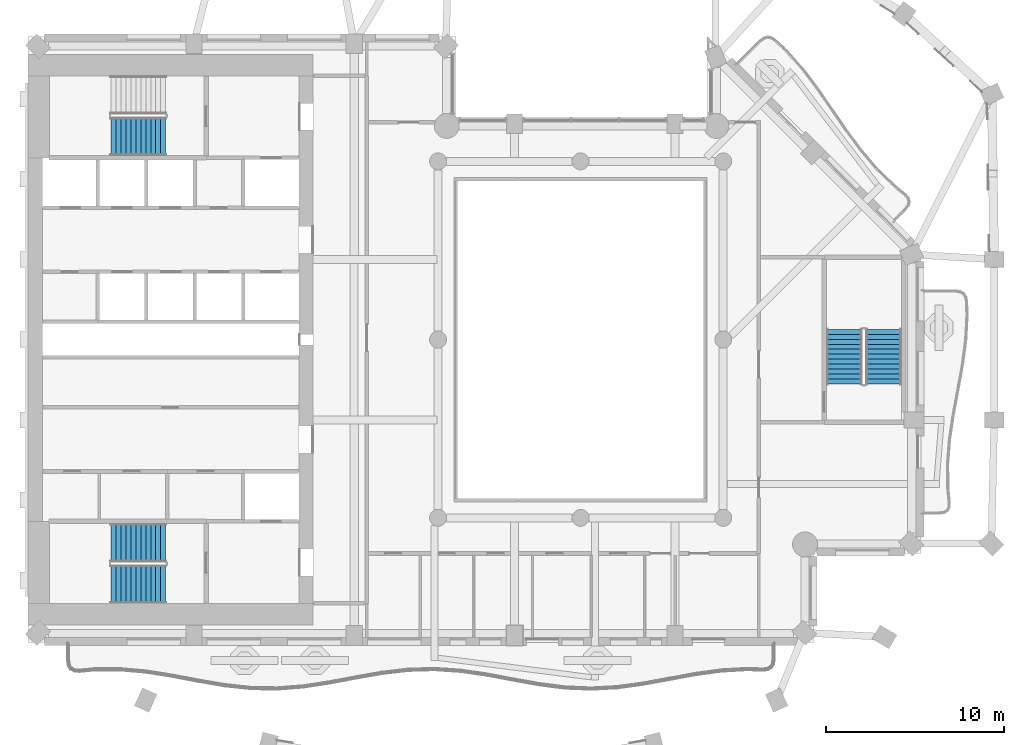
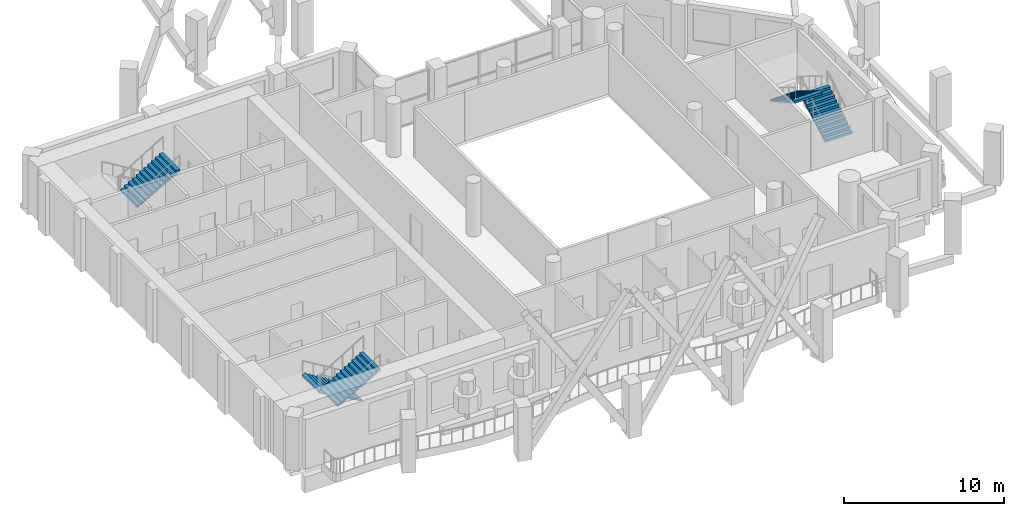
# One storey, part 9 of 16: 5 stair flights, 3 elements without a shape of their own.
"""IFC4 building model written with IfcOpenShell, lengths in metres."""

from ifc_helpers import new_model, si_unit, direction, frame, origin, place, context, subcontext, project, spatial, triangles, material, type_object, element, aggregate, save


model = new_model("IFC4")

# Units and contexts
model_context = context("Model", 3, precision=1e-05, world=origin(), true_north=direction((0.0, 1.0)))
body_context = subcontext(model_context, "Body", "Model", "MODEL_VIEW")
ifc_project = project(units=[si_unit("LENGTHUNIT", "METRE"), si_unit("AREAUNIT", "SQUARE_METRE"), si_unit("VOLUMEUNIT", "CUBIC_METRE"), si_unit("PLANEANGLEUNIT", "RADIAN"), si_unit("MASSUNIT", "GRAM", prefix="KILO")], contexts=[model_context])

# Site, building, storey
site_placement = place(None, origin())
site = spatial("IfcSite", under=ifc_project, at=site_placement, CompositionType="ELEMENT")
building_placement = place(site_placement, origin())
building = spatial("IfcBuilding", under=site, at=building_placement, Name="Cypress Arch Tower", CompositionType="ELEMENT")
storey_placement = place(building_placement, frame((0.0, 0.0, 181.0)))
storey = spatial("IfcBuildingStorey", under=building, at=storey_placement, Name="L39", CompositionType="ELEMENT", Elevation=181.0)

# Stair, stair flights
ifc_material_1 = material(Name="Concrete C40/50", Category="concrete")
stair_type_1 = type_object("IfcStairType", Name="Exit stair ES1708-200", PredefinedType="HALF_TURN_STAIR", material=ifc_material_1)
stair_1_placement = place(storey_placement, origin())
stair_1 = element("IfcStair", 1, at=stair_1_placement, inside=storey, type_object=stair_type_1, Name="L39 Exit stair C", PredefinedType="HALF_TURN_STAIR")
ifc_material_2 = material(Name="Concrete C40/50", Category="concrete")
stair_flight_type_1 = type_object("IfcStairFlightType", Name="Exit stair flight ES1708-200", PredefinedType="STRAIGHT", material=ifc_material_2)
stair_flight_1_placement = place(storey_placement, frame((18.0, -2.5, 0.0), z_axis=(0.0, 0.0, 1.0), x_axis=(0.0, 1.0, 0.0)))
stair_flight_1 = element("IfcStairFlight", 2, at=stair_flight_1_placement, type_object=stair_flight_type_1, Name="C flight 1", NumberOfRisers=12, NumberOfTreads=11, PredefinedType="STRAIGHT", RiserHeight=0.170833333, TreadLength=0.28, context=body_context, shape_type="Tessellation", body=[
    triangles([(0.0, -1.0, 0.0), (0.0, -1.0, 0.1708984375), (0.280029296875, -1.0, 0.1708984375), (0.280029296875, -1.0, 0.341552734375), (0.56005859375, -1.0, 0.341552734375), (0.56005859375, -1.0, 0.512451171875), (0.840087890625, -1.0, 0.512451171875), (0.840087890625, -1.0, 0.683349609375), (1.1201171875, -1.0, 0.683349609375), (1.1201171875, -1.0, 0.854248046875), (1.39990234375, -1.0, 0.854248046875), (1.39990234375, -1.0, 1.02490234375), (1.679931640625, -1.0, 1.02490234375), (1.679931640625, -1.0, 1.19580078125), (1.9599609375, -1.0, 1.19580078125), (1.9599609375, -1.0, 1.36669921875), (2.239990234375, -1.0, 1.36669921875), (2.239990234375, -1.0, 1.53759765625), (2.52001953125, -1.0, 1.53759765625), (2.52001953125, -1.0, 1.708251953125), (2.800048828125, -1.0, 1.708251953125), (2.800048828125, -1.0, 1.879150390625), (3.080078125, -1.0, 1.879150390625), (3.080078125, -1.0, 1.70361328125), (3.080078125, 1.0, 1.70361328125), (3.080078125, 1.0, 1.879150390625), (2.800048828125, 1.0, 1.879150390625), (2.800048828125, 1.0, 1.708251953125), (2.52001953125, 1.0, 1.708251953125), (2.52001953125, 1.0, 1.53759765625), (2.239990234375, 1.0, 1.53759765625), (2.239990234375, 1.0, 1.36669921875), (1.9599609375, 1.0, 1.36669921875), (1.9599609375, 1.0, 1.19580078125), (1.679931640625, 1.0, 1.19580078125), (1.679931640625, 1.0, 1.02490234375), (1.39990234375, 1.0, 1.02490234375), (1.39990234375, 1.0, 0.854248046875), (1.1201171875, 1.0, 0.854248046875), (1.1201171875, 1.0, 0.683349609375), (0.840087890625, 1.0, 0.683349609375), (0.840087890625, 1.0, 0.512451171875), (0.56005859375, 1.0, 0.512451171875), (0.56005859375, 1.0, 0.341552734375), (0.280029296875, 1.0, 0.341552734375), (0.280029296875, 1.0, 0.1708984375), (0.0, 1.0, 0.1708984375), (0.0, 1.0, 0.0), (3.080078125, 0.0, 1.879150390625), (3.080078125, 0.0, 1.70361328125), (2.800048828125, 0.0, 1.879150390625), (2.800048828125, 0.0, 1.708251953125), (2.52001953125, 0.0, 1.708251953125), (2.52001953125, 0.0, 1.53759765625), (2.239990234375, 0.0, 1.53759765625), (2.239990234375, 0.0, 1.36669921875), (1.9599609375, 0.0, 1.36669921875), (1.9599609375, 0.0, 1.19580078125), (1.679931640625, 0.0, 1.19580078125), (1.679931640625, 0.0, 1.02490234375), (1.39990234375, 0.0, 1.02490234375), (1.39990234375, 0.0, 0.854248046875), (1.1201171875, 0.0, 0.854248046875), (1.1201171875, 0.0, 0.683349609375), (0.840087890625, 0.0, 0.683349609375), (0.840087890625, 0.0, 0.512451171875), (0.56005859375, 0.0, 0.512451171875), (0.56005859375, 0.0, 0.341552734375), (0.280029296875, 0.0, 0.341552734375), (0.280029296875, 0.0, 0.1708984375), (0.0, 0.0, 0.1708984375), (0.0, 0.0, 0.0)], [[24, 23, 22], [11, 10, 9], [19, 18, 17], [17, 16, 15], [15, 14, 13], [9, 8, 7], [7, 6, 5], [3, 2, 1], [21, 20, 19], [13, 12, 11], [5, 4, 3], [24, 22, 21], [24, 21, 19], [24, 19, 17], [24, 17, 15], [24, 15, 13], [24, 13, 11], [24, 11, 9], [24, 9, 7], [24, 7, 5], [1, 24, 5], [5, 3, 1], [25, 27, 26], [38, 40, 39], [30, 32, 31], [32, 34, 33], [34, 36, 35], [40, 42, 41], [42, 44, 43], [46, 48, 47], [28, 30, 29], [36, 38, 37], [44, 46, 45], [25, 28, 27], [25, 30, 28], [25, 32, 30], [25, 34, 32], [25, 36, 34], [25, 38, 36], [25, 40, 38], [25, 42, 40], [25, 44, 42], [48, 44, 25], [44, 48, 46], [50, 49, 23], [50, 23, 24], [25, 26, 49], [25, 49, 50], [49, 51, 22], [49, 22, 23], [26, 27, 51], [26, 51, 49], [51, 52, 21], [51, 21, 22], [27, 28, 52], [27, 52, 51], [52, 53, 20], [52, 20, 21], [28, 29, 53], [28, 53, 52], [53, 54, 19], [53, 19, 20], [29, 30, 54], [29, 54, 53], [54, 55, 18], [54, 18, 19], [30, 31, 55], [30, 55, 54], [55, 56, 17], [55, 17, 18], [31, 32, 56], [31, 56, 55], [56, 57, 16], [56, 16, 17], [32, 33, 57], [32, 57, 56], [57, 58, 15], [57, 15, 16], [33, 34, 58], [33, 58, 57], [58, 59, 14], [58, 14, 15], [34, 35, 59], [34, 59, 58], [59, 60, 13], [59, 13, 14], [35, 36, 60], [35, 60, 59], [60, 61, 12], [60, 12, 13], [36, 37, 61], [36, 61, 60], [61, 62, 11], [61, 11, 12], [37, 38, 62], [37, 62, 61], [62, 63, 10], [62, 10, 11], [38, 39, 63], [38, 63, 62], [63, 64, 9], [63, 9, 10], [39, 40, 64], [39, 64, 63], [64, 65, 8], [64, 8, 9], [40, 41, 65], [40, 65, 64], [65, 66, 7], [65, 7, 8], [41, 42, 66], [41, 66, 65], [66, 67, 6], [66, 6, 7], [42, 43, 67], [42, 67, 66], [67, 68, 5], [67, 5, 6], [43, 44, 68], [43, 68, 67], [68, 69, 4], [68, 4, 5], [44, 45, 69], [44, 69, 68], [69, 70, 3], [69, 3, 4], [45, 46, 70], [45, 70, 69], [70, 71, 2], [70, 2, 3], [46, 47, 71], [46, 71, 70], [71, 72, 1], [71, 1, 2], [47, 48, 72], [47, 72, 71], [72, 50, 24], [72, 24, 1], [48, 25, 50], [48, 50, 72]], closed=True),
])
stair_flight_2_placement = place(storey_placement, frame((15.800048828125, 0.580078125, 2.050048828125), z_axis=(0.0, 0.0, 1.0), x_axis=(0.0, -1.0, 0.0)))
stair_flight_2 = element("IfcStairFlight", 3, at=stair_flight_2_placement, type_object=stair_flight_type_1, Name="C flight 2", NumberOfRisers=12, NumberOfTreads=11, PredefinedType="STRAIGHT", RiserHeight=0.170833333, TreadLength=0.28, context=body_context, shape_type="Tessellation", body=[
    triangles([(0.0, -1.0, 0.0), (0.0, -1.0, 0.1708984375), (0.280029296875, -1.0, 0.1708984375), (0.280029296875, -1.0, 0.341552734375), (0.56005859375, -1.0, 0.341552734375), (0.56005859375, -1.0, 0.512451171875), (0.840087890625, -1.0, 0.512451171875), (0.840087890625, -1.0, 0.683349609375), (1.1201171875, -1.0, 0.683349609375), (1.1201171875, -1.0, 0.854248046875), (1.39990234375, -1.0, 0.854248046875), (1.39990234375, -1.0, 1.02490234375), (1.679931640625, -1.0, 1.02490234375), (1.679931640625, -1.0, 1.19580078125), (1.9599609375, -1.0, 1.19580078125), (1.9599609375, -1.0, 1.36669921875), (2.239990234375, -1.0, 1.36669921875), (2.239990234375, -1.0, 1.53759765625), (2.52001953125, -1.0, 1.53759765625), (2.52001953125, -1.0, 1.708251953125), (2.800048828125, -1.0, 1.708251953125), (2.800048828125, -1.0, 1.879150390625), (3.080078125, -1.0, 1.879150390625), (3.080078125, -1.0, 1.70361328125), (3.080078125, 1.0, 1.70361328125), (3.080078125, 1.0, 1.879150390625), (2.800048828125, 1.0, 1.879150390625), (2.800048828125, 1.0, 1.708251953125), (2.52001953125, 1.0, 1.708251953125), (2.52001953125, 1.0, 1.53759765625), (2.239990234375, 1.0, 1.53759765625), (2.239990234375, 1.0, 1.36669921875), (1.9599609375, 1.0, 1.36669921875), (1.9599609375, 1.0, 1.19580078125), (1.679931640625, 1.0, 1.19580078125), (1.679931640625, 1.0, 1.02490234375), (1.39990234375, 1.0, 1.02490234375), (1.39990234375, 1.0, 0.854248046875), (1.1201171875, 1.0, 0.854248046875), (1.1201171875, 1.0, 0.683349609375), (0.840087890625, 1.0, 0.683349609375), (0.840087890625, 1.0, 0.512451171875), (0.56005859375, 1.0, 0.512451171875), (0.56005859375, 1.0, 0.341552734375), (0.280029296875, 1.0, 0.341552734375), (0.280029296875, 1.0, 0.1708984375), (0.0, 1.0, 0.1708984375), (0.0, 1.0, 0.0), (3.080078125, 0.0, 1.879150390625), (3.080078125, 0.0, 1.70361328125), (2.800048828125, 0.0, 1.879150390625), (2.800048828125, 0.0, 1.708251953125), (2.52001953125, 0.0, 1.708251953125), (2.52001953125, 0.0, 1.53759765625), (2.239990234375, 0.0, 1.53759765625), (2.239990234375, 0.0, 1.36669921875), (1.9599609375, 0.0, 1.36669921875), (1.9599609375, 0.0, 1.19580078125), (1.679931640625, 0.0, 1.19580078125), (1.679931640625, 0.0, 1.02490234375), (1.39990234375, 0.0, 1.02490234375), (1.39990234375, 0.0, 0.854248046875), (1.1201171875, 0.0, 0.854248046875), (1.1201171875, 0.0, 0.683349609375), (0.840087890625, 0.0, 0.683349609375), (0.840087890625, 0.0, 0.512451171875), (0.56005859375, 0.0, 0.512451171875), (0.56005859375, 0.0, 0.341552734375), (0.280029296875, 0.0, 0.341552734375), (0.280029296875, 0.0, 0.1708984375), (0.0, 0.0, 0.1708984375), (0.0, 0.0, 0.0)], [[24, 23, 22], [11, 10, 9], [19, 18, 17], [17, 16, 15], [15, 14, 13], [9, 8, 7], [7, 6, 5], [3, 2, 1], [21, 20, 19], [13, 12, 11], [5, 4, 3], [24, 22, 21], [24, 21, 19], [24, 19, 17], [24, 17, 15], [24, 15, 13], [24, 13, 11], [24, 11, 9], [24, 9, 7], [24, 7, 5], [1, 24, 5], [5, 3, 1], [25, 27, 26], [38, 40, 39], [30, 32, 31], [32, 34, 33], [34, 36, 35], [40, 42, 41], [42, 44, 43], [46, 48, 47], [28, 30, 29], [36, 38, 37], [44, 46, 45], [25, 28, 27], [25, 30, 28], [25, 32, 30], [25, 34, 32], [25, 36, 34], [25, 38, 36], [25, 40, 38], [25, 42, 40], [25, 44, 42], [48, 44, 25], [44, 48, 46], [50, 49, 23], [50, 23, 24], [25, 26, 49], [25, 49, 50], [49, 51, 22], [49, 22, 23], [26, 27, 51], [26, 51, 49], [51, 52, 21], [51, 21, 22], [27, 28, 52], [27, 52, 51], [52, 53, 20], [52, 20, 21], [28, 29, 53], [28, 53, 52], [53, 54, 19], [53, 19, 20], [29, 30, 54], [29, 54, 53], [54, 55, 18], [54, 18, 19], [30, 31, 55], [30, 55, 54], [55, 56, 17], [55, 17, 18], [31, 32, 56], [31, 56, 55], [56, 57, 16], [56, 16, 17], [32, 33, 57], [32, 57, 56], [57, 58, 15], [57, 15, 16], [33, 34, 58], [33, 58, 57], [58, 59, 14], [58, 14, 15], [34, 35, 59], [34, 59, 58], [59, 60, 13], [59, 13, 14], [35, 36, 60], [35, 60, 59], [60, 61, 12], [60, 12, 13], [36, 37, 61], [36, 61, 60], [61, 62, 11], [61, 11, 12], [37, 38, 62], [37, 62, 61], [62, 63, 10], [62, 10, 11], [38, 39, 63], [38, 63, 62], [63, 64, 9], [63, 9, 10], [39, 40, 64], [39, 64, 63], [64, 65, 8], [64, 8, 9], [40, 41, 65], [40, 65, 64], [65, 66, 7], [65, 7, 8], [41, 42, 66], [41, 66, 65], [66, 67, 6], [66, 6, 7], [42, 43, 67], [42, 67, 66], [67, 68, 5], [67, 5, 6], [43, 44, 68], [43, 68, 67], [68, 69, 4], [68, 4, 5], [44, 45, 69], [44, 69, 68], [69, 70, 3], [69, 3, 4], [45, 46, 70], [45, 70, 69], [70, 71, 2], [70, 2, 3], [46, 47, 71], [46, 71, 70], [71, 72, 1], [71, 1, 2], [47, 48, 72], [47, 72, 71], [72, 50, 24], [72, 24, 1], [48, 25, 50], [48, 50, 72]], closed=True),
])
aggregate(stair_1, [stair_flight_1, stair_flight_2])

ifc_material_3 = material(Name="Concrete C40/50", Category="concrete")
stair_type_2 = type_object("IfcStairType", Name="Exit stair ES1708-215", PredefinedType="HALF_TURN_STAIR", material=ifc_material_3)
stair_2_placement = place(storey_placement, origin())
stair_2 = element("IfcStair", 4, at=stair_2_placement, inside=storey, type_object=stair_type_2, Name="L39 Exit stair A", PredefinedType="HALF_TURN_STAIR")
ifc_material_4 = material(Name="Concrete C40/50", Category="concrete")
stair_flight_type_2 = type_object("IfcStairFlightType", Name="Exit stair flight ES1708-215", PredefinedType="STRAIGHT", material=ifc_material_4)
stair_flight_3_placement = place(storey_placement, frame((-22.27490234375, -11.39990234375, 0.0), z_axis=(0.0, 0.0, 1.0), x_axis=(-1.0, 0.0, 0.0)))
stair_flight_3 = element("IfcStairFlight", 5, at=stair_flight_3_placement, type_object=stair_flight_type_2, Name="A flight 1", NumberOfRisers=12, NumberOfTreads=11, PredefinedType="STRAIGHT", RiserHeight=0.170833333, TreadLength=0.28, context=body_context, shape_type="Tessellation", body=[
    triangles([(0.0, -1.074951171875, 0.0), (0.000244140625, -1.074951171875, 0.01904296875), (0.000244140625, -1.074951171875, 0.0380859375), (0.00048828125, -1.074951171875, 0.056884765625), (0.00048828125, -1.074951171875, 0.075927734375), (0.00048828125, -1.074951171875, 0.094970703125), (0.00048828125, -1.074951171875, 0.114013671875), (0.000244140625, -1.074951171875, 0.1328125), (0.000244140625, -1.074951171875, 0.15185546875), (0.0, -1.074951171875, 0.1708984375), (0.280029296875, -1.074951171875, 0.1708984375), (0.280029296875, -1.074951171875, 0.341552734375), (0.56005859375, -1.074951171875, 0.341552734375), (0.56005859375, -1.074951171875, 0.512451171875), (0.840087890625, -1.074951171875, 0.512451171875), (0.840087890625, -1.074951171875, 0.683349609375), (1.1201171875, -1.074951171875, 0.683349609375), (1.1201171875, -1.074951171875, 0.854248046875), (1.39990234375, -1.074951171875, 0.854248046875), (1.39990234375, -1.074951171875, 1.02490234375), (1.679931640625, -1.074951171875, 1.02490234375), (1.679931640625, -1.074951171875, 1.19580078125), (1.9599609375, -1.074951171875, 1.19580078125), (1.9599609375, -1.074951171875, 1.36669921875), (2.239990234375, -1.074951171875, 1.36669921875), (2.239990234375, -1.074951171875, 1.53759765625), (2.52001953125, -1.074951171875, 1.53759765625), (2.52001953125, -1.074951171875, 1.708251953125), (2.800048828125, -1.074951171875, 1.708251953125), (2.800048828125, -1.074951171875, 1.879150390625), (3.080078125, -1.074951171875, 1.879150390625), (3.079833984375, -1.074951171875, 1.859619140625), (3.079833984375, -1.074951171875, 1.840087890625), (3.07958984375, -1.074951171875, 1.820556640625), (3.07958984375, -1.074951171875, 1.801025390625), (3.07958984375, -1.074951171875, 1.78173828125), (3.07958984375, -1.074951171875, 1.76220703125), (3.079833984375, -1.074951171875, 1.74267578125), (3.079833984375, -1.074951171875, 1.72314453125), (3.080078125, -1.074951171875, 1.70361328125), (3.080078125, 1.074951171875, 1.70361328125), (3.079833984375, 1.074951171875, 1.72314453125), (3.079833984375, 1.074951171875, 1.74267578125), (3.07958984375, 1.074951171875, 1.76220703125), (3.07958984375, 1.074951171875, 1.78173828125), (3.07958984375, 1.074951171875, 1.801025390625), (3.07958984375, 1.074951171875, 1.820556640625), (3.079833984375, 1.074951171875, 1.840087890625), (3.079833984375, 1.074951171875, 1.859619140625), (3.080078125, 1.074951171875, 1.879150390625), (2.800048828125, 1.074951171875, 1.879150390625), (2.800048828125, 1.074951171875, 1.708251953125), (2.52001953125, 1.074951171875, 1.708251953125), (2.52001953125, 1.074951171875, 1.53759765625), (2.239990234375, 1.074951171875, 1.53759765625), (2.239990234375, 1.074951171875, 1.36669921875), (1.9599609375, 1.074951171875, 1.36669921875), (1.9599609375, 1.074951171875, 1.19580078125), (1.679931640625, 1.074951171875, 1.19580078125), (1.679931640625, 1.074951171875, 1.02490234375), (1.39990234375, 1.074951171875, 1.02490234375), (1.39990234375, 1.074951171875, 0.854248046875), (1.1201171875, 1.074951171875, 0.854248046875), (1.1201171875, 1.074951171875, 0.683349609375), (0.840087890625, 1.074951171875, 0.683349609375), (0.840087890625, 1.074951171875, 0.512451171875), (0.56005859375, 1.074951171875, 0.512451171875), (0.56005859375, 1.074951171875, 0.341552734375), (0.280029296875, 1.074951171875, 0.341552734375), (0.280029296875, 1.074951171875, 0.1708984375), (0.0, 1.074951171875, 0.1708984375), (0.000244140625, 1.074951171875, 0.15185546875), (0.000244140625, 1.074951171875, 0.1328125), (0.00048828125, 1.074951171875, 0.114013671875), (0.00048828125, 1.074951171875, 0.094970703125), (0.00048828125, 1.074951171875, 0.075927734375), (0.00048828125, 1.074951171875, 0.056884765625), (0.000244140625, 1.074951171875, 0.0380859375), (0.000244140625, 1.074951171875, 0.01904296875), (0.0, 1.074951171875, 0.0)], [[40, 39, 30], [39, 38, 30], [38, 37, 30], [37, 36, 30], [36, 35, 30], [35, 34, 30], [34, 33, 30], [33, 32, 30], [32, 31, 30], [19, 18, 17], [27, 26, 25], [25, 24, 23], [23, 22, 21], [17, 16, 15], [15, 14, 13], [10, 9, 11], [9, 8, 11], [8, 7, 11], [7, 6, 11], [6, 5, 11], [5, 4, 11], [4, 3, 11], [3, 2, 11], [2, 1, 11], [29, 28, 27], [21, 20, 19], [13, 12, 11], [40, 30, 29], [40, 29, 27], [40, 27, 25], [40, 25, 23], [40, 23, 21], [40, 21, 19], [40, 19, 17], [40, 17, 15], [40, 15, 13], [1, 40, 13], [13, 11, 1], [41, 51, 42], [42, 51, 43], [43, 51, 44], [44, 51, 45], [45, 51, 46], [46, 51, 47], [47, 51, 48], [48, 51, 49], [49, 51, 50], [62, 64, 63], [54, 56, 55], [56, 58, 57], [58, 60, 59], [64, 66, 65], [66, 68, 67], [71, 70, 72], [72, 70, 73], [73, 70, 74], [74, 70, 75], [75, 70, 76], [76, 70, 77], [77, 70, 78], [78, 70, 79], [79, 70, 80], [52, 54, 53], [60, 62, 61], [68, 70, 69], [41, 52, 51], [41, 54, 52], [41, 56, 54], [41, 58, 56], [41, 60, 58], [41, 62, 60], [41, 64, 62], [41, 66, 64], [41, 68, 66], [80, 68, 41], [68, 80, 70], [41, 42, 39], [41, 39, 40], [42, 43, 38], [42, 38, 39], [43, 44, 37], [43, 37, 38], [44, 45, 36], [44, 36, 37], [45, 46, 35], [45, 35, 36], [46, 47, 34], [46, 34, 35], [47, 48, 33], [47, 33, 34], [48, 49, 32], [48, 32, 33], [49, 50, 31], [49, 31, 32], [50, 51, 30], [50, 30, 31], [51, 52, 29], [51, 29, 30], [52, 53, 28], [52, 28, 29], [53, 54, 27], [53, 27, 28], [54, 55, 26], [54, 26, 27], [55, 56, 25], [55, 25, 26], [56, 57, 24], [56, 24, 25], [57, 58, 23], [57, 23, 24], [58, 59, 22], [58, 22, 23], [59, 60, 21], [59, 21, 22], [60, 61, 20], [60, 20, 21], [61, 62, 19], [61, 19, 20], [62, 63, 18], [62, 18, 19], [63, 64, 17], [63, 17, 18], [64, 65, 16], [64, 16, 17], [65, 66, 15], [65, 15, 16], [66, 67, 14], [66, 14, 15], [67, 68, 13], [67, 13, 14], [68, 69, 12], [68, 12, 13], [69, 70, 11], [69, 11, 12], [70, 71, 10], [70, 10, 11], [71, 72, 9], [71, 9, 10], [72, 73, 8], [72, 8, 9], [73, 74, 7], [73, 7, 8], [74, 75, 6], [74, 6, 7], [75, 76, 5], [75, 5, 6], [76, 77, 4], [76, 4, 5], [77, 78, 3], [77, 3, 4], [78, 79, 2], [78, 2, 3], [79, 80, 1], [79, 1, 2], [80, 41, 40], [80, 40, 1]], closed=True),
])
stair_flight_4_placement = place(storey_placement, frame((-25.35498046875, -13.72509765625, 2.050048828125), z_axis=(0.0, 0.0, 1.0), x_axis=(1.0, 0.0, 0.0)))
stair_flight_4 = element("IfcStairFlight", 6, at=stair_flight_4_placement, type_object=stair_flight_type_2, Name="A flight 2", NumberOfRisers=12, NumberOfTreads=11, PredefinedType="STRAIGHT", RiserHeight=0.170833333, TreadLength=0.28, context=body_context, shape_type="Tessellation", body=[
    triangles([(0.0, -1.074951171875, 0.0), (0.000244140625, -1.074951171875, 0.01904296875), (0.000244140625, -1.074951171875, 0.0380859375), (0.00048828125, -1.074951171875, 0.056884765625), (0.00048828125, -1.074951171875, 0.075927734375), (0.00048828125, -1.074951171875, 0.094970703125), (0.00048828125, -1.074951171875, 0.114013671875), (0.000244140625, -1.074951171875, 0.1328125), (0.000244140625, -1.074951171875, 0.15185546875), (0.0, -1.074951171875, 0.1708984375), (0.280029296875, -1.074951171875, 0.1708984375), (0.280029296875, -1.074951171875, 0.341552734375), (0.56005859375, -1.074951171875, 0.341552734375), (0.56005859375, -1.074951171875, 0.512451171875), (0.840087890625, -1.074951171875, 0.512451171875), (0.840087890625, -1.074951171875, 0.683349609375), (1.1201171875, -1.074951171875, 0.683349609375), (1.1201171875, -1.074951171875, 0.854248046875), (1.39990234375, -1.074951171875, 0.854248046875), (1.39990234375, -1.074951171875, 1.02490234375), (1.679931640625, -1.074951171875, 1.02490234375), (1.679931640625, -1.074951171875, 1.19580078125), (1.9599609375, -1.074951171875, 1.19580078125), (1.9599609375, -1.074951171875, 1.36669921875), (2.239990234375, -1.074951171875, 1.36669921875), (2.239990234375, -1.074951171875, 1.53759765625), (2.52001953125, -1.074951171875, 1.53759765625), (2.52001953125, -1.074951171875, 1.708251953125), (2.800048828125, -1.074951171875, 1.708251953125), (2.800048828125, -1.074951171875, 1.879150390625), (3.080078125, -1.074951171875, 1.879150390625), (3.079833984375, -1.074951171875, 1.859619140625), (3.079833984375, -1.074951171875, 1.840087890625), (3.07958984375, -1.074951171875, 1.820556640625), (3.07958984375, -1.074951171875, 1.801025390625), (3.07958984375, -1.074951171875, 1.78173828125), (3.07958984375, -1.074951171875, 1.76220703125), (3.079833984375, -1.074951171875, 1.74267578125), (3.079833984375, -1.074951171875, 1.72314453125), (3.080078125, -1.074951171875, 1.70361328125), (3.080078125, 1.074951171875, 1.70361328125), (3.079833984375, 1.074951171875, 1.72314453125), (3.079833984375, 1.074951171875, 1.74267578125), (3.07958984375, 1.074951171875, 1.76220703125), (3.07958984375, 1.074951171875, 1.78173828125), (3.07958984375, 1.074951171875, 1.801025390625), (3.07958984375, 1.074951171875, 1.820556640625), (3.079833984375, 1.074951171875, 1.840087890625), (3.079833984375, 1.074951171875, 1.859619140625), (3.080078125, 1.074951171875, 1.879150390625), (2.800048828125, 1.074951171875, 1.879150390625), (2.800048828125, 1.074951171875, 1.708251953125), (2.52001953125, 1.074951171875, 1.708251953125), (2.52001953125, 1.074951171875, 1.53759765625), (2.239990234375, 1.074951171875, 1.53759765625), (2.239990234375, 1.074951171875, 1.36669921875), (1.9599609375, 1.074951171875, 1.36669921875), (1.9599609375, 1.074951171875, 1.19580078125), (1.679931640625, 1.074951171875, 1.19580078125), (1.679931640625, 1.074951171875, 1.02490234375), (1.39990234375, 1.074951171875, 1.02490234375), (1.39990234375, 1.074951171875, 0.854248046875), (1.1201171875, 1.074951171875, 0.854248046875), (1.1201171875, 1.074951171875, 0.683349609375), (0.840087890625, 1.074951171875, 0.683349609375), (0.840087890625, 1.074951171875, 0.512451171875), (0.56005859375, 1.074951171875, 0.512451171875), (0.56005859375, 1.074951171875, 0.341552734375), (0.280029296875, 1.074951171875, 0.341552734375), (0.280029296875, 1.074951171875, 0.1708984375), (0.0, 1.074951171875, 0.1708984375), (0.000244140625, 1.074951171875, 0.15185546875), (0.000244140625, 1.074951171875, 0.1328125), (0.00048828125, 1.074951171875, 0.114013671875), (0.00048828125, 1.074951171875, 0.094970703125), (0.00048828125, 1.074951171875, 0.075927734375), (0.00048828125, 1.074951171875, 0.056884765625), (0.000244140625, 1.074951171875, 0.0380859375), (0.000244140625, 1.074951171875, 0.01904296875), (0.0, 1.074951171875, 0.0)], [[40, 39, 30], [39, 38, 30], [38, 37, 30], [37, 36, 30], [36, 35, 30], [35, 34, 30], [34, 33, 30], [33, 32, 30], [32, 31, 30], [19, 18, 17], [27, 26, 25], [25, 24, 23], [23, 22, 21], [17, 16, 15], [15, 14, 13], [10, 9, 11], [9, 8, 11], [8, 7, 11], [7, 6, 11], [6, 5, 11], [5, 4, 11], [4, 3, 11], [3, 2, 11], [2, 1, 11], [29, 28, 27], [21, 20, 19], [13, 12, 11], [40, 30, 29], [40, 29, 27], [40, 27, 25], [40, 25, 23], [40, 23, 21], [40, 21, 19], [40, 19, 17], [40, 17, 15], [40, 15, 13], [1, 40, 13], [13, 11, 1], [41, 51, 42], [42, 51, 43], [43, 51, 44], [44, 51, 45], [45, 51, 46], [46, 51, 47], [47, 51, 48], [48, 51, 49], [49, 51, 50], [62, 64, 63], [54, 56, 55], [56, 58, 57], [58, 60, 59], [64, 66, 65], [66, 68, 67], [71, 70, 72], [72, 70, 73], [73, 70, 74], [74, 70, 75], [75, 70, 76], [76, 70, 77], [77, 70, 78], [78, 70, 79], [79, 70, 80], [52, 54, 53], [60, 62, 61], [68, 70, 69], [41, 52, 51], [41, 54, 52], [41, 56, 54], [41, 58, 56], [41, 60, 58], [41, 62, 60], [41, 64, 62], [41, 66, 64], [41, 68, 66], [80, 68, 41], [68, 80, 70], [41, 42, 39], [41, 39, 40], [42, 43, 38], [42, 38, 39], [43, 44, 37], [43, 37, 38], [44, 45, 36], [44, 36, 37], [45, 46, 35], [45, 35, 36], [46, 47, 34], [46, 34, 35], [47, 48, 33], [47, 33, 34], [48, 49, 32], [48, 32, 33], [49, 50, 31], [49, 31, 32], [50, 51, 30], [50, 30, 31], [51, 52, 29], [51, 29, 30], [52, 53, 28], [52, 28, 29], [53, 54, 27], [53, 27, 28], [54, 55, 26], [54, 26, 27], [55, 56, 25], [55, 25, 26], [56, 57, 24], [56, 24, 25], [57, 58, 23], [57, 23, 24], [58, 59, 22], [58, 22, 23], [59, 60, 21], [59, 21, 22], [60, 61, 20], [60, 20, 21], [61, 62, 19], [61, 19, 20], [62, 63, 18], [62, 18, 19], [63, 64, 17], [63, 17, 18], [64, 65, 16], [64, 16, 17], [65, 66, 15], [65, 15, 16], [66, 67, 14], [66, 14, 15], [67, 68, 13], [67, 13, 14], [68, 69, 12], [68, 12, 13], [69, 70, 11], [69, 11, 12], [70, 71, 10], [70, 10, 11], [71, 72, 9], [71, 9, 10], [72, 73, 8], [72, 8, 9], [73, 74, 7], [73, 7, 8], [74, 75, 6], [74, 6, 7], [75, 76, 5], [75, 5, 6], [76, 77, 4], [76, 4, 5], [77, 78, 3], [77, 3, 4], [78, 79, 2], [78, 2, 3], [79, 80, 1], [79, 1, 2], [80, 41, 40], [80, 40, 1]], closed=True),
])
aggregate(stair_2, [stair_flight_3, stair_flight_4])

# Stair, stair flight
stair_3_placement = place(storey_placement, origin())
stair_3 = element("IfcStair", 7, at=stair_3_placement, inside=storey, type_object=stair_type_2, Name="L39 Exit stair B", PredefinedType="HALF_TURN_STAIR")
stair_flight_5_placement = place(storey_placement, frame((-25.35498046875, 11.39990234375, 2.050048828125), z_axis=(0.0, 0.0, 1.0), x_axis=(1.0, 0.0, 0.0)))
stair_flight_5 = element("IfcStairFlight", 8, at=stair_flight_5_placement, type_object=stair_flight_type_2, Name="B flight 2", NumberOfRisers=12, NumberOfTreads=11, PredefinedType="STRAIGHT", RiserHeight=0.170833333, TreadLength=0.28, context=body_context, shape_type="Tessellation", body=[
    triangles([(0.0, -1.074951171875, 0.0), (0.000244140625, -1.074951171875, 0.01904296875), (0.000244140625, -1.074951171875, 0.0380859375), (0.00048828125, -1.074951171875, 0.056884765625), (0.00048828125, -1.074951171875, 0.075927734375), (0.00048828125, -1.074951171875, 0.094970703125), (0.00048828125, -1.074951171875, 0.114013671875), (0.000244140625, -1.074951171875, 0.1328125), (0.000244140625, -1.074951171875, 0.15185546875), (0.0, -1.074951171875, 0.1708984375), (0.280029296875, -1.074951171875, 0.1708984375), (0.280029296875, -1.074951171875, 0.341552734375), (0.56005859375, -1.074951171875, 0.341552734375), (0.56005859375, -1.074951171875, 0.512451171875), (0.840087890625, -1.074951171875, 0.512451171875), (0.840087890625, -1.074951171875, 0.683349609375), (1.1201171875, -1.074951171875, 0.683349609375), (1.1201171875, -1.074951171875, 0.854248046875), (1.39990234375, -1.074951171875, 0.854248046875), (1.39990234375, -1.074951171875, 1.02490234375), (1.679931640625, -1.074951171875, 1.02490234375), (1.679931640625, -1.074951171875, 1.19580078125), (1.9599609375, -1.074951171875, 1.19580078125), (1.9599609375, -1.074951171875, 1.36669921875), (2.239990234375, -1.074951171875, 1.36669921875), (2.239990234375, -1.074951171875, 1.53759765625), (2.52001953125, -1.074951171875, 1.53759765625), (2.52001953125, -1.074951171875, 1.708251953125), (2.800048828125, -1.074951171875, 1.708251953125), (2.800048828125, -1.074951171875, 1.879150390625), (3.080078125, -1.074951171875, 1.879150390625), (3.079833984375, -1.074951171875, 1.859619140625), (3.079833984375, -1.074951171875, 1.840087890625), (3.07958984375, -1.074951171875, 1.820556640625), (3.07958984375, -1.074951171875, 1.801025390625), (3.07958984375, -1.074951171875, 1.78173828125), (3.07958984375, -1.074951171875, 1.76220703125), (3.079833984375, -1.074951171875, 1.74267578125), (3.079833984375, -1.074951171875, 1.72314453125), (3.080078125, -1.074951171875, 1.70361328125), (3.080078125, 1.074951171875, 1.70361328125), (3.079833984375, 1.074951171875, 1.72314453125), (3.079833984375, 1.074951171875, 1.74267578125), (3.07958984375, 1.074951171875, 1.76220703125), (3.07958984375, 1.074951171875, 1.78173828125), (3.07958984375, 1.074951171875, 1.801025390625), (3.07958984375, 1.074951171875, 1.820556640625), (3.079833984375, 1.074951171875, 1.840087890625), (3.079833984375, 1.074951171875, 1.859619140625), (3.080078125, 1.074951171875, 1.879150390625), (2.800048828125, 1.074951171875, 1.879150390625), (2.800048828125, 1.074951171875, 1.708251953125), (2.52001953125, 1.074951171875, 1.708251953125), (2.52001953125, 1.074951171875, 1.53759765625), (2.239990234375, 1.074951171875, 1.53759765625), (2.239990234375, 1.074951171875, 1.36669921875), (1.9599609375, 1.074951171875, 1.36669921875), (1.9599609375, 1.074951171875, 1.19580078125), (1.679931640625, 1.074951171875, 1.19580078125), (1.679931640625, 1.074951171875, 1.02490234375), (1.39990234375, 1.074951171875, 1.02490234375), (1.39990234375, 1.074951171875, 0.854248046875), (1.1201171875, 1.074951171875, 0.854248046875), (1.1201171875, 1.074951171875, 0.683349609375), (0.840087890625, 1.074951171875, 0.683349609375), (0.840087890625, 1.074951171875, 0.512451171875), (0.56005859375, 1.074951171875, 0.512451171875), (0.56005859375, 1.074951171875, 0.341552734375), (0.280029296875, 1.074951171875, 0.341552734375), (0.280029296875, 1.074951171875, 0.1708984375), (0.0, 1.074951171875, 0.1708984375), (0.000244140625, 1.074951171875, 0.15185546875), (0.000244140625, 1.074951171875, 0.1328125), (0.00048828125, 1.074951171875, 0.114013671875), (0.00048828125, 1.074951171875, 0.094970703125), (0.00048828125, 1.074951171875, 0.075927734375), (0.00048828125, 1.074951171875, 0.056884765625), (0.000244140625, 1.074951171875, 0.0380859375), (0.000244140625, 1.074951171875, 0.01904296875), (0.0, 1.074951171875, 0.0)], [[40, 39, 30], [39, 38, 30], [38, 37, 30], [37, 36, 30], [36, 35, 30], [35, 34, 30], [34, 33, 30], [33, 32, 30], [32, 31, 30], [19, 18, 17], [27, 26, 25], [25, 24, 23], [23, 22, 21], [17, 16, 15], [15, 14, 13], [10, 9, 11], [9, 8, 11], [8, 7, 11], [7, 6, 11], [6, 5, 11], [5, 4, 11], [4, 3, 11], [3, 2, 11], [2, 1, 11], [29, 28, 27], [21, 20, 19], [13, 12, 11], [40, 30, 29], [40, 29, 27], [40, 27, 25], [40, 25, 23], [40, 23, 21], [40, 21, 19], [40, 19, 17], [40, 17, 15], [40, 15, 13], [1, 40, 13], [13, 11, 1], [41, 51, 42], [42, 51, 43], [43, 51, 44], [44, 51, 45], [45, 51, 46], [46, 51, 47], [47, 51, 48], [48, 51, 49], [49, 51, 50], [62, 64, 63], [54, 56, 55], [56, 58, 57], [58, 60, 59], [64, 66, 65], [66, 68, 67], [71, 70, 72], [72, 70, 73], [73, 70, 74], [74, 70, 75], [75, 70, 76], [76, 70, 77], [77, 70, 78], [78, 70, 79], [79, 70, 80], [52, 54, 53], [60, 62, 61], [68, 70, 69], [41, 52, 51], [41, 54, 52], [41, 56, 54], [41, 58, 56], [41, 60, 58], [41, 62, 60], [41, 64, 62], [41, 66, 64], [41, 68, 66], [80, 68, 41], [68, 80, 70], [41, 42, 39], [41, 39, 40], [42, 43, 38], [42, 38, 39], [43, 44, 37], [43, 37, 38], [44, 45, 36], [44, 36, 37], [45, 46, 35], [45, 35, 36], [46, 47, 34], [46, 34, 35], [47, 48, 33], [47, 33, 34], [48, 49, 32], [48, 32, 33], [49, 50, 31], [49, 31, 32], [50, 51, 30], [50, 30, 31], [51, 52, 29], [51, 29, 30], [52, 53, 28], [52, 28, 29], [53, 54, 27], [53, 27, 28], [54, 55, 26], [54, 26, 27], [55, 56, 25], [55, 25, 26], [56, 57, 24], [56, 24, 25], [57, 58, 23], [57, 23, 24], [58, 59, 22], [58, 22, 23], [59, 60, 21], [59, 21, 22], [60, 61, 20], [60, 20, 21], [61, 62, 19], [61, 19, 20], [62, 63, 18], [62, 18, 19], [63, 64, 17], [63, 17, 18], [64, 65, 16], [64, 16, 17], [65, 66, 15], [65, 15, 16], [66, 67, 14], [66, 14, 15], [67, 68, 13], [67, 13, 14], [68, 69, 12], [68, 12, 13], [69, 70, 11], [69, 11, 12], [70, 71, 10], [70, 10, 11], [71, 72, 9], [71, 9, 10], [72, 73, 8], [72, 8, 9], [73, 74, 7], [73, 7, 8], [74, 75, 6], [74, 6, 7], [75, 76, 5], [75, 5, 6], [76, 77, 4], [76, 4, 5], [77, 78, 3], [77, 3, 4], [78, 79, 2], [78, 2, 3], [79, 80, 1], [79, 1, 2], [80, 41, 40], [80, 40, 1]], closed=True),
])
aggregate(stair_3, [stair_flight_5])

save(model, "model.ifc")
